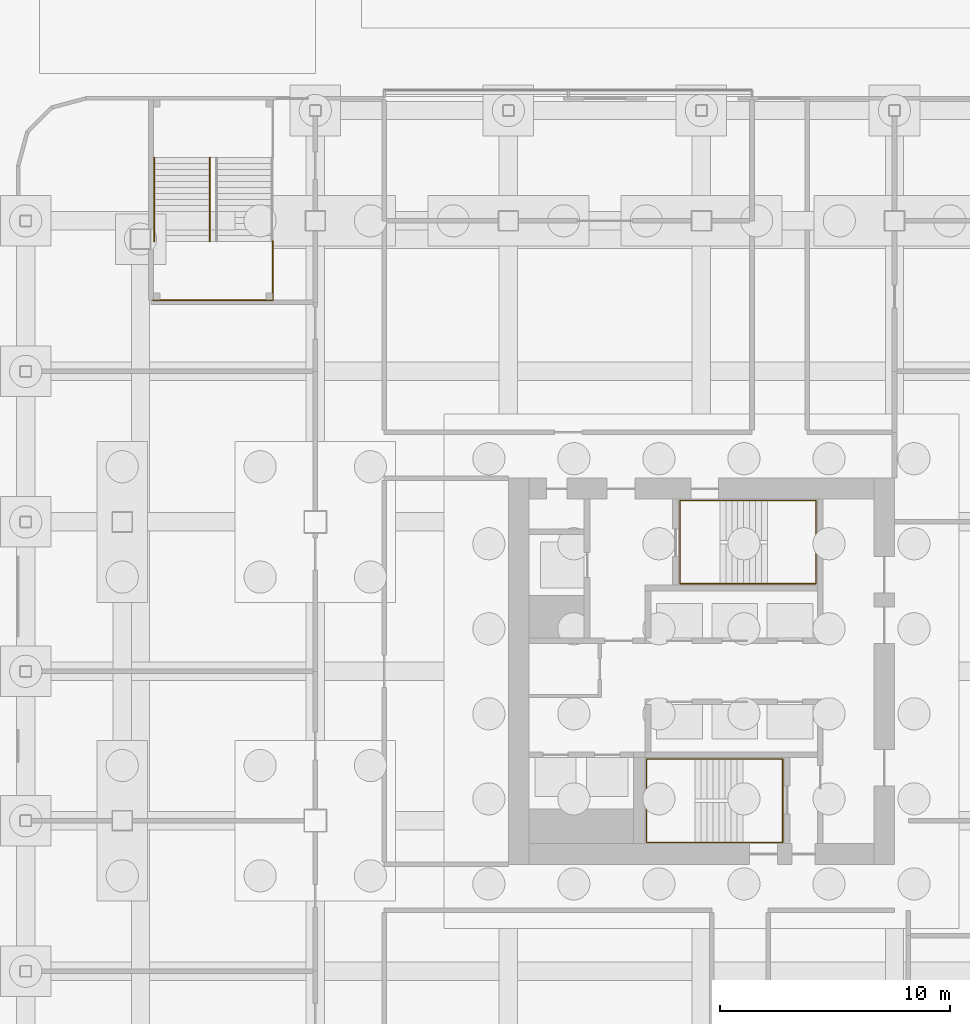
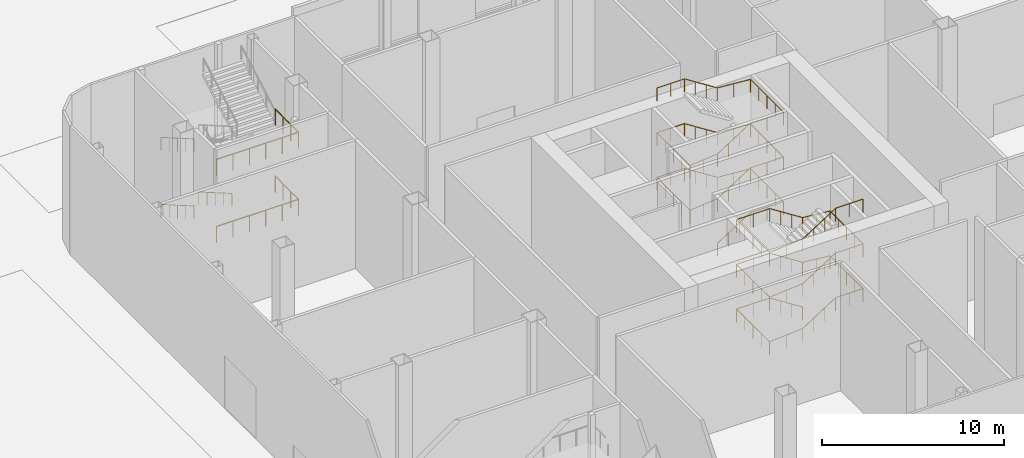
# One storey, part 109 of 113: 9 railings.
"""IFC4 building model written with IfcOpenShell, lengths in metres."""

import ifcopenshell
import ifcopenshell.guid

model = None  # the IFC model being written
_history = None  # IfcOwnerHistory: only IFC2X3 demands one
_inside = {}  # id of a spatial element -> (the spatial element, [elements in it])
_under = {}  # id of a project, library or spatial element -> (it, [spatial elements below it])
_declared = {}  # id of a project -> (the project, [libraries it declares])
_typed = {}  # id of a type object -> (the type object, [elements of that type])
_made_of = {}  # id of a material, layer set ... -> (it, [elements and type objects made of it])


def new_model(schema):
    """Start an empty IFC model of exactly this schema.

    Asked for "IFC4X3", IfcOpenShell would pick the latest addendum, in which some entities
    have other attributes; the version numbers below select the first issue.
    IFC2X3 requires an IfcOwnerHistory on every rooted entity: one is made here for all.
    """
    global model, _history
    if schema == "IFC4X3":
        model = ifcopenshell.file(schema_version=(4, 3, 0, 0))
    else:
        model = ifcopenshell.file(schema=schema)
    _inside.clear()
    _under.clear()
    _declared.clear()
    _typed.clear()
    _made_of.clear()
    _history = None
    if model.schema == "IFC2X3":
        org = make("IfcOrganization", Name="unknown")
        user = make(
            "IfcPersonAndOrganization",
            ThePerson=make("IfcPerson", FamilyName="unknown"),
            TheOrganization=org,
        )
        app = make(
            "IfcApplication",
            ApplicationDeveloper=org,
            Version="unknown",
            ApplicationFullName="unknown",
            ApplicationIdentifier="unknown",
        )
        _history = make(
            "IfcOwnerHistory",
            OwningUser=user,
            OwningApplication=app,
            ChangeAction="ADDED",
            CreationDate=0,
        )
    return model


def make(cls, **values):
    """One entity of the class cls with the attributes given. An attribute that is None is left unset."""
    return model.create_entity(
        cls, **{name: value for name, value in values.items() if value is not None}
    )


def rooted(cls, **values):
    """An entity with a GlobalId (a new one), such as an element, a storey or a relation."""
    return make(cls, GlobalId=ifcopenshell.guid.new(), OwnerHistory=_history, **values)


def si_unit(unit_type, name, prefix=None):
    """IfcSIUnit, for example si_unit("LENGTHUNIT", "METRE", prefix="MILLI")."""
    return make("IfcSIUnit", UnitType=unit_type, Prefix=prefix, Name=name)


def assignment(units):
    """IfcUnitAssignment: the units of a project."""
    return None if units is None else make("IfcUnitAssignment", Units=units)


def point(xyz):
    """IfcCartesianPoint."""
    return None if xyz is None else make("IfcCartesianPoint", Coordinates=xyz)


def direction(xyz):
    """IfcDirection."""
    return None if xyz is None else make("IfcDirection", DirectionRatios=xyz)


def frame(location, z_axis=None, x_axis=None):
    """IfcAxis2Placement3D, a coordinate frame: its origin and axes. An axis left out is left unset."""
    return make(
        "IfcAxis2Placement3D",
        Location=point(location),
        Axis=direction(z_axis),
        RefDirection=direction(x_axis),
    )


def frame_2d(location, x_axis=None):
    """IfcAxis2Placement2D, a coordinate frame in the plane: its origin and x axis."""
    return make(
        "IfcAxis2Placement2D", Location=point(location), RefDirection=direction(x_axis)
    )


def origin():
    """The frame at (0, 0, 0) with its axes left unset."""
    return frame((0.0, 0.0, 0.0))


def origin_2d():
    """The frame at (0, 0) in the plane with its x axis left unset."""
    return frame_2d((0.0, 0.0))


def place(relative_to, where):
    """IfcLocalPlacement: puts the frame where relative to a parent placement (None: the world)."""
    return make(
        "IfcLocalPlacement", PlacementRelTo=relative_to, RelativePlacement=where
    )


def context(
    kind, dimensions, precision=None, world=None, true_north=None, identifier=None
):
    """IfcGeometricRepresentationContext, for example the 3D "Model" context."""
    return make(
        "IfcGeometricRepresentationContext",
        ContextIdentifier=identifier,
        ContextType=kind,
        CoordinateSpaceDimension=dimensions,
        Precision=precision,
        WorldCoordinateSystem=world,
        TrueNorth=true_north,
    )


def subcontext(parent, identifier, kind, view, scale=None):
    """IfcGeometricRepresentationSubContext, for example "Body" below "Model"."""
    return make(
        "IfcGeometricRepresentationSubContext",
        ContextIdentifier=identifier,
        ContextType=kind,
        ParentContext=parent,
        TargetScale=scale,
        TargetView=view,
    )


def project(units=None, contexts=None):
    """IfcProject with its units and contexts."""
    return rooted(
        "IfcProject",
        Name="project",
        RepresentationContexts=contexts,
        UnitsInContext=assignment(units),
    )


def spatial(cls, under=None, at=None, **own):
    """A site, building, storey or space (cls), placed at a placement, below another one or the project."""
    s = rooted(cls, ObjectPlacement=at, **own)
    if under is not None:
        _under.setdefault(under.id(), (under, []))[1].append(s)
    return s


def profile(cls, at=None, kind="AREA", **sizes):
    """A parametric profile (cls). Its sizes go by their IFC names, for example OverallWidth=200.0."""
    return make(cls, ProfileType=kind, Position=at, **sizes)


def circle(**sizes):
    """IfcCircleProfileDef."""
    return profile("IfcCircleProfileDef", **sizes)


def extrude(swept, where, along, depth):
    """IfcExtrudedAreaSolid: the profile swept, set in the frame where, extruded along a direction by depth."""
    return make(
        "IfcExtrudedAreaSolid",
        SweptArea=swept,
        Position=where,
        ExtrudedDirection=direction(along),
        Depth=depth,
    )


def shape(context_of_items, identifier, shape_type, items):
    """IfcShapeRepresentation: the items that make up one representation, for example the "Body"."""
    return make(
        "IfcShapeRepresentation",
        ContextOfItems=context_of_items,
        RepresentationIdentifier=identifier,
        RepresentationType=shape_type,
        Items=items,
    )


def material(Name=None, Category=None):
    """IfcMaterial."""
    return make("IfcMaterial", Name=Name, Category=Category)


def made_of(thing, what):
    """Note that an element or type object is made of a material, layer set ...; save() writes the relation."""
    if what is not None:
        _made_of.setdefault(what.id(), (what, []))[1].append(thing)
    return thing


def type_object(cls, material=None, **own):
    """A type object (cls), such as IfcWallType, which elements share."""
    return made_of(rooted(cls, **own), material)


def element(
    cls,
    number,
    at=None,
    inside=None,
    cuts=None,
    type_object=None,
    material=None,
    context=None,
    identifier="Body",
    shape_type=None,
    held_by="IfcProductDefinitionShape",
    body=None,
    shapes=None,
    **own,
):
    """One element of the class cls, such as IfcWall. Its Tag is "e" and its number.

    at: its placement. inside: the storey or other place that contains it. cuts: it is an
    opening in that element (IfcRelVoidsElement). A single representation is given by context,
    identifier, shape_type and body (its items); several are given by shapes. held_by: the class
    of the entity that holds the representations. save() writes the other relations.
    """
    e = rooted(cls, Tag="e%d" % number, ObjectPlacement=at, **own)
    if body is not None:
        shapes = [shape(context, identifier, shape_type, body)]
    if shapes is not None:
        e.Representation = make(held_by, Representations=shapes)
    if inside is not None:
        _inside.setdefault(inside.id(), (inside, []))[1].append(e)
    if cuts is not None:
        rooted(
            "IfcRelVoidsElement", RelatingBuildingElement=cuts, RelatedOpeningElement=e
        )
    if type_object is not None:
        _typed.setdefault(type_object.id(), (type_object, []))[1].append(e)
    return made_of(e, material)


def aggregate(whole, parts):
    """IfcRelAggregates: a whole, such as a stair, and the parts it consists of."""
    return rooted("IfcRelAggregates", RelatingObject=whole, RelatedObjects=parts)


def save(model, path):
    """Write the relations noted so far, then the file.

    IfcRelAggregates (storeys below a building ...), IfcRelContainedInSpatialStructure (elements
    in a storey), IfcRelDefinesByType, IfcRelAssociatesMaterial and IfcRelDeclares: one each for
    every whole, place, type object, material and project.
    """
    for whole, parts in _under.values():
        aggregate(whole, parts)
    for where, things in _inside.values():
        rooted(
            "IfcRelContainedInSpatialStructure",
            RelatedElements=things,
            RelatingStructure=where,
        )
    for kind, things in _typed.values():
        rooted("IfcRelDefinesByType", RelatedObjects=things, RelatingType=kind)
    for what, things in _made_of.values():
        rooted("IfcRelAssociatesMaterial", RelatedObjects=things, RelatingMaterial=what)
    for by, libraries in _declared.values():
        rooted("IfcRelDeclares", RelatingContext=by, RelatedDefinitions=libraries)
    model.write(path)


model = new_model("IFC4")

# Units and contexts
model_context = context("Model", 3, precision=1e-05, world=origin(), true_north=direction((0.0, 1.0)))
body_context = subcontext(model_context, "Body", "Model", "MODEL_VIEW")
ifc_project = project(units=[si_unit("LENGTHUNIT", "METRE"), si_unit("AREAUNIT", "SQUARE_METRE"), si_unit("VOLUMEUNIT", "CUBIC_METRE"), si_unit("PLANEANGLEUNIT", "RADIAN"), si_unit("MASSUNIT", "GRAM", prefix="KILO")], contexts=[model_context])

# Site, building, storey
site_placement = place(None, origin())
site = spatial("IfcSite", under=ifc_project, at=site_placement, CompositionType="ELEMENT")
building_placement = place(site_placement, origin())
building = spatial("IfcBuilding", under=site, at=building_placement, Name="Hakoniwa Tower and Hamabe Station Hall", CompositionType="ELEMENT")
storey_placement = place(building_placement, origin())
storey = spatial("IfcBuildingStorey", under=building, at=storey_placement, Name="L01", CompositionType="ELEMENT", Elevation=0.0)

# Railings
ifc_material_1 = material(Name="Stainless steel and glass", Category="steel")
railing_type_1 = type_object("IfcRailingType", Name="GUARD 1100", PredefinedType="GUARDRAIL", material=ifc_material_1)
railing_1_placement = place(storey_placement, frame((-43.85009765625, 18.7099609375, 2.25)))
element("IfcRailing", 1, at=railing_1_placement, inside=storey, type_object=railing_type_1, Name="Guard at landing PS1 1", PredefinedType="GUARDRAIL", context=body_context, shape_type="SweptSolid", body=[
    extrude(circle(Radius=0.02392578125, at=origin_2d()), frame((0.0, 0.0, 1.076171875), z_axis=(0.0, -1.0, 0.0), x_axis=(1.0, 0.0, 0.0)), (0.0, 0.0, 1.0), 2.56005859375),
    extrude(circle(Radius=0.02099609375, at=origin_2d()), origin(), (0.0, 0.0, 1.0), 1.052001953125),
    extrude(circle(Radius=0.02099609375, at=origin_2d()), frame((0.0, -0.853271484375, 0.0)), (0.0, 0.0, 1.0), 1.052001953125),
    extrude(circle(Radius=0.02099609375, at=origin_2d()), frame((0.0, -1.706787109375, 0.0)), (0.0, 0.0, 1.0), 1.052001953125),
    extrude(circle(Radius=0.02099609375, at=origin_2d()), frame((0.0, -2.56005859375, 0.0)), (0.0, 0.0, 1.0), 1.052001953125),
])
railing_2_placement = place(storey_placement, frame((-49.050048828125, 16.14990234375, 2.25)))
element("IfcRailing", 2, at=railing_2_placement, inside=storey, type_object=railing_type_1, Name="Guard at landing PS1 2", PredefinedType="GUARDRAIL", context=body_context, shape_type="SweptSolid", body=[
    extrude(circle(Radius=0.02392578125, at=origin_2d()), frame((0.0, 0.0, 1.076171875), z_axis=(1.0, 0.0, 0.0), x_axis=(0.0, 1.0, 0.0)), (0.0, 0.0, 1.0), 5.199951171875),
    extrude(circle(Radius=0.02099609375, at=origin_2d()), origin(), (0.0, 0.0, 1.0), 1.052001953125),
    extrude(circle(Radius=0.02099609375, at=origin_2d()), frame((1.0400390625, 0.0, 0.0)), (0.0, 0.0, 1.0), 1.052001953125),
    extrude(circle(Radius=0.02099609375, at=origin_2d()), frame((2.080078125, 0.0, 0.0)), (0.0, 0.0, 1.0), 1.052001953125),
    extrude(circle(Radius=0.02099609375, at=origin_2d()), frame((3.119873046875, 0.0, 0.0)), (0.0, 0.0, 1.0), 1.052001953125),
    extrude(circle(Radius=0.02099609375, at=origin_2d()), frame((4.159912109375, 0.0, 0.0)), (0.0, 0.0, 1.0), 1.052001953125),
    extrude(circle(Radius=0.02099609375, at=origin_2d()), frame((5.199951171875, 0.0, 0.0)), (0.0, 0.0, 1.0), 1.052001953125),
])
railing_3_placement = place(storey_placement, frame((-43.85009765625, 18.7099609375, 6.75)))
element("IfcRailing", 3, at=railing_3_placement, inside=storey, type_object=railing_type_1, Name="Guard at landing PS1 4", PredefinedType="GUARDRAIL", context=body_context, shape_type="SweptSolid", body=[
    extrude(circle(Radius=0.02392578125, at=origin_2d()), frame((0.0, 0.0, 1.076171875), z_axis=(0.0, -1.0, 0.0), x_axis=(1.0, 0.0, 0.0)), (0.0, 0.0, 1.0), 2.56005859375),
    extrude(circle(Radius=0.02099609375, at=origin_2d()), origin(), (0.0, 0.0, 1.0), 1.052001953125),
    extrude(circle(Radius=0.02099609375, at=origin_2d()), frame((0.0, -0.853271484375, 0.0)), (0.0, 0.0, 1.0), 1.052001953125),
    extrude(circle(Radius=0.02099609375, at=origin_2d()), frame((0.0, -1.706787109375, 0.0)), (0.0, 0.0, 1.0), 1.052001953125),
    extrude(circle(Radius=0.02099609375, at=origin_2d()), frame((0.0, -2.56005859375, 0.0)), (0.0, 0.0, 1.0), 1.052001953125),
])
railing_4_placement = place(storey_placement, frame((-49.050048828125, 16.14990234375, 6.75)))
element("IfcRailing", 4, at=railing_4_placement, inside=storey, type_object=railing_type_1, Name="Guard at landing PS1 5", PredefinedType="GUARDRAIL", context=body_context, shape_type="SweptSolid", body=[
    extrude(circle(Radius=0.02392578125, at=origin_2d()), frame((0.0, 0.0, 1.076171875), z_axis=(1.0, 0.0, 0.0), x_axis=(0.0, 1.0, 0.0)), (0.0, 0.0, 1.0), 5.199951171875),
    extrude(circle(Radius=0.02099609375, at=origin_2d()), origin(), (0.0, 0.0, 1.0), 1.052001953125),
    extrude(circle(Radius=0.02099609375, at=origin_2d()), frame((1.0400390625, 0.0, 0.0)), (0.0, 0.0, 1.0), 1.052001953125),
    extrude(circle(Radius=0.02099609375, at=origin_2d()), frame((2.080078125, 0.0, 0.0)), (0.0, 0.0, 1.0), 1.052001953125),
    extrude(circle(Radius=0.02099609375, at=origin_2d()), frame((3.119873046875, 0.0, 0.0)), (0.0, 0.0, 1.0), 1.052001953125),
    extrude(circle(Radius=0.02099609375, at=origin_2d()), frame((4.159912109375, 0.0, 0.0)), (0.0, 0.0, 1.0), 1.052001953125),
    extrude(circle(Radius=0.02099609375, at=origin_2d()), frame((5.199951171875, 0.0, 0.0)), (0.0, 0.0, 1.0), 1.052001953125),
])
ifc_material_2 = material(Name="Stainless steel SUS304", Category="steel")
railing_type_2 = type_object("IfcRailingType", Name="HANDRAIL 900", PredefinedType="HANDRAIL", material=ifc_material_2)
for number, where, name in (
    (5, (-49.0, 22.35009765625, 0.14990234375), "Handrail PS1 1"),
    (6, (-46.60009765625, 22.35009765625, 0.14990234375), "Handrail PS1 2"),
    (7, (-49.0, 22.35009765625, 4.64990234375), "Handrail PS1 5"),
):
    element("IfcRailing", number, at=place(storey_placement, frame(where)), inside=storey, type_object=railing_type_2, Name=name, PredefinedType="HANDRAIL", context=body_context, shape_type="SweptSolid", body=[
        extrude(circle(Radius=0.02392578125, at=origin_2d()), frame((0.0, 0.0, 0.8759765625), z_axis=(0.0, -0.86618365172, 0.499725806311), x_axis=(1.0, 0.0, 0.0)), (0.0, 0.0, 1.0), 4.202392578125),
        extrude(circle(Radius=0.02099609375, at=origin_2d()), origin(), (0.0, 0.0, 1.0), 0.851806640625),
        extrude(circle(Radius=0.02099609375, at=origin_2d()), frame((0.0, -0.91015625, 0.52490234375)), (0.0, 0.0, 1.0), 0.851806640625),
        extrude(circle(Radius=0.02099609375, at=origin_2d()), frame((0.0, -1.820068359375, 1.050048828125)), (0.0, 0.0, 1.0), 0.851806640625),
        extrude(circle(Radius=0.02099609375, at=origin_2d()), frame((0.0, -2.72998046875, 1.5751953125)), (0.0, 0.0, 1.0), 0.851806640625),
        extrude(circle(Radius=0.02099609375, at=origin_2d()), frame((0.0, -3.64013671875, 2.10009765625)), (0.0, 0.0, 1.0), 0.851806640625),
    ])
ifc_material_3 = material(Name="Stainless steel SUS304", Category="steel")
railing_type_3 = type_object("IfcRailingType", Name="STAIR HANDRAIL 900", PredefinedType="HANDRAIL", material=ifc_material_3)
railing_5_placement = place(storey_placement, frame((-24.39990234375, 3.81005859375, 0.166748046875)))
element("IfcRailing", 8, at=railing_5_placement, inside=storey, type_object=railing_type_3, Name="Handrail ST-1 L01 1", PredefinedType="HANDRAIL", context=body_context, shape_type="SweptSolid", body=[
    extrude(circle(Radius=0.02392578125, at=origin_2d()), frame((0.0, 0.0, 0.8759765625), z_axis=(0.84187453394, 0.0, 0.539673298491), x_axis=(0.0, 1.0, 0.0)), (0.0, 0.0, 1.0), 2.470458984375),
    extrude(circle(Radius=0.02392578125, at=origin_2d()), frame((2.079833984375, 0.0, 2.208984375), z_axis=(1.0, 0.0, 0.0), x_axis=(0.0, 1.0, 0.0)), (0.0, 0.0, 1.0), 2.110107421875),
    extrude(circle(Radius=0.02392578125, at=origin_2d()), frame((4.18994140625, 0.0, 2.208984375), z_axis=(0.0, 1.0, 0.0), x_axis=(-1.0, 0.0, 0.0)), (0.0, 0.0, 1.0), 3.6298828125),
    extrude(circle(Radius=0.02392578125, at=origin_2d()), frame((4.18994140625, 3.6298828125, 2.208984375), z_axis=(-0.996892192206, 0.0, 0.078777897406), x_axis=(0.0, -1.0, 0.0)), (0.0, 0.0, 1.0), 2.11669921875),
    extrude(circle(Radius=0.02392578125, at=origin_2d()), frame((2.079833984375, 3.6298828125, 2.3759765625), z_axis=(-0.84187453394, 0.0, 0.539673298491), x_axis=(0.0, -1.0, 0.0)), (0.0, 0.0, 1.0), 2.470458984375),
    extrude(circle(Radius=0.02392578125, at=origin_2d()), frame((0.0, 3.6298828125, 3.708984375), z_axis=(-1.0, 0.0, 0.0), x_axis=(0.0, -1.0, 0.0)), (0.0, 0.0, 1.0), 1.739990234375),
    extrude(circle(Radius=0.02392578125, at=origin_2d()), frame((-1.739990234375, 3.6298828125, 3.708984375), z_axis=(0.0, -1.0, 0.0), x_axis=(1.0, 0.0, 0.0)), (0.0, 0.0, 1.0), 3.6298828125),
    extrude(circle(Radius=0.02392578125, at=origin_2d()), frame((-1.739990234375, 0.0, 3.708984375), z_axis=(0.995439431117, 0.0, 0.09539569685), x_axis=(0.0, 1.0, 0.0)), (0.0, 0.0, 1.0), 1.748046875),
    extrude(circle(Radius=0.02392578125, at=origin_2d()), frame((0.0, 0.0, 3.8759765625), z_axis=(0.84187453394, 0.0, 0.539673298491), x_axis=(0.0, 1.0, 0.0)), (0.0, 0.0, 1.0), 2.470458984375),
    extrude(circle(Radius=0.02392578125, at=origin_2d()), frame((2.079833984375, 0.0, 5.208984375), z_axis=(1.0, 0.0, 0.0), x_axis=(0.0, 1.0, 0.0)), (0.0, 0.0, 1.0), 2.110107421875),
    extrude(circle(Radius=0.02392578125, at=origin_2d()), frame((4.18994140625, 0.0, 5.208984375), z_axis=(0.0, 1.0, 0.0), x_axis=(-1.0, 0.0, 0.0)), (0.0, 0.0, 1.0), 3.6298828125),
    extrude(circle(Radius=0.02392578125, at=origin_2d()), frame((4.18994140625, 3.6298828125, 5.208984375), z_axis=(-0.996892192206, 0.0, 0.078777897406), x_axis=(0.0, -1.0, 0.0)), (0.0, 0.0, 1.0), 2.11669921875),
    extrude(circle(Radius=0.02392578125, at=origin_2d()), frame((2.079833984375, 3.6298828125, 5.3759765625), z_axis=(-0.84187453394, 0.0, 0.539673298491), x_axis=(0.0, -1.0, 0.0)), (0.0, 0.0, 1.0), 2.470458984375),
    extrude(circle(Radius=0.02392578125, at=origin_2d()), frame((0.0, 3.6298828125, 6.708984375), z_axis=(-1.0, 0.0, 0.0), x_axis=(0.0, -1.0, 0.0)), (0.0, 0.0, 1.0), 1.739990234375),
    extrude(circle(Radius=0.02392578125, at=origin_2d()), frame((-1.739990234375, 3.6298828125, 6.708984375), z_axis=(0.0, -1.0, 0.0), x_axis=(1.0, 0.0, 0.0)), (0.0, 0.0, 1.0), 3.6298828125),
    extrude(circle(Radius=0.02392578125, at=origin_2d()), frame((-1.739990234375, 0.0, 6.708984375), z_axis=(0.995439431117, 0.0, 0.09539569685), x_axis=(0.0, 1.0, 0.0)), (0.0, 0.0, 1.0), 1.748046875),
    extrude(circle(Radius=0.02392578125, at=origin_2d()), frame((0.0, 0.0, 6.8759765625), z_axis=(0.84187453394, 0.0, 0.539673298491), x_axis=(0.0, 1.0, 0.0)), (0.0, 0.0, 1.0), 2.470458984375),
    extrude(circle(Radius=0.02392578125, at=origin_2d()), frame((2.079833984375, 0.0, 8.208984375), z_axis=(1.0, 0.0, 0.0), x_axis=(0.0, 1.0, 0.0)), (0.0, 0.0, 1.0), 2.110107421875),
    extrude(circle(Radius=0.02392578125, at=origin_2d()), frame((4.18994140625, 0.0, 8.208984375), z_axis=(0.0, 1.0, 0.0), x_axis=(-1.0, 0.0, 0.0)), (0.0, 0.0, 1.0), 3.6298828125),
    extrude(circle(Radius=0.02392578125, at=origin_2d()), frame((4.18994140625, 3.6298828125, 8.208984375), z_axis=(-0.996892192206, 0.0, 0.078777897406), x_axis=(0.0, -1.0, 0.0)), (0.0, 0.0, 1.0), 2.11669921875),
    extrude(circle(Radius=0.02392578125, at=origin_2d()), frame((2.079833984375, 3.6298828125, 8.3759765625), z_axis=(-0.84187453394, 0.0, 0.539673298491), x_axis=(0.0, -1.0, 0.0)), (0.0, 0.0, 1.0), 2.470458984375),
    extrude(circle(Radius=0.02392578125, at=origin_2d()), frame((0.0, 3.6298828125, 9.708984375), z_axis=(-1.0, 0.0, 0.0), x_axis=(0.0, -1.0, 0.0)), (0.0, 0.0, 1.0), 1.739990234375),
    extrude(circle(Radius=0.02099609375, at=origin_2d()), origin(), (0.0, 0.0, 1.0), 0.851806640625),
    extrude(circle(Radius=0.02099609375, at=origin_2d()), frame((0.693359375, 0.0, 0.4443359375)), (0.0, 0.0, 1.0), 0.851806640625),
    extrude(circle(Radius=0.02099609375, at=origin_2d()), frame((1.386474609375, 0.0, 0.888916015625)), (0.0, 0.0, 1.0), 0.851806640625),
    extrude(circle(Radius=0.02099609375, at=origin_2d()), frame((2.079833984375, 0.0, 1.333251953125)), (0.0, 0.0, 1.0), 0.851806640625),
    extrude(circle(Radius=0.02099609375, at=origin_2d()), frame((3.134765625, 0.0, 1.333251953125)), (0.0, 0.0, 1.0), 0.851806640625),
    extrude(circle(Radius=0.02099609375, at=origin_2d()), frame((4.18994140625, 0.0, 1.333251953125)), (0.0, 0.0, 1.0), 0.851806640625),
    extrude(circle(Radius=0.02099609375, at=origin_2d()), frame((4.18994140625, 0.907470703125, 1.333251953125)), (0.0, 0.0, 1.0), 0.851806640625),
    extrude(circle(Radius=0.02099609375, at=origin_2d()), frame((4.18994140625, 1.81494140625, 1.333251953125)), (0.0, 0.0, 1.0), 0.851806640625),
    extrude(circle(Radius=0.02099609375, at=origin_2d()), frame((4.18994140625, 2.722412109375, 1.333251953125)), (0.0, 0.0, 1.0), 0.851806640625),
    extrude(circle(Radius=0.02099609375, at=origin_2d()), frame((4.18994140625, 3.6298828125, 1.333251953125)), (0.0, 0.0, 1.0), 0.851806640625),
    extrude(circle(Radius=0.02099609375, at=origin_2d()), frame((3.134765625, 3.6298828125, 1.41650390625)), (0.0, 0.0, 1.0), 0.851806640625),
    extrude(circle(Radius=0.02099609375, at=origin_2d()), frame((2.079833984375, 3.6298828125, 1.5)), (0.0, 0.0, 1.0), 0.851806640625),
    extrude(circle(Radius=0.02099609375, at=origin_2d()), frame((1.386474609375, 3.6298828125, 1.9443359375)), (0.0, 0.0, 1.0), 0.851806640625),
    extrude(circle(Radius=0.02099609375, at=origin_2d()), frame((0.693359375, 3.6298828125, 2.388916015625)), (0.0, 0.0, 1.0), 0.851806640625),
    extrude(circle(Radius=0.02099609375, at=origin_2d()), frame((0.0, 3.6298828125, 2.833251953125)), (0.0, 0.0, 1.0), 0.851806640625),
    extrude(circle(Radius=0.02099609375, at=origin_2d()), frame((-0.8701171875, 3.6298828125, 2.833251953125)), (0.0, 0.0, 1.0), 0.851806640625),
    extrude(circle(Radius=0.02099609375, at=origin_2d()), frame((-1.739990234375, 3.6298828125, 2.833251953125)), (0.0, 0.0, 1.0), 0.851806640625),
    extrude(circle(Radius=0.02099609375, at=origin_2d()), frame((-1.739990234375, 2.722412109375, 2.833251953125)), (0.0, 0.0, 1.0), 0.851806640625),
    extrude(circle(Radius=0.02099609375, at=origin_2d()), frame((-1.739990234375, 1.81494140625, 2.833251953125)), (0.0, 0.0, 1.0), 0.851806640625),
    extrude(circle(Radius=0.02099609375, at=origin_2d()), frame((-1.739990234375, 0.907470703125, 2.833251953125)), (0.0, 0.0, 1.0), 0.851806640625),
    extrude(circle(Radius=0.02099609375, at=origin_2d()), frame((-1.739990234375, 0.0, 2.833251953125)), (0.0, 0.0, 1.0), 0.851806640625),
    extrude(circle(Radius=0.02099609375, at=origin_2d()), frame((-0.8701171875, 0.0, 2.91650390625)), (0.0, 0.0, 1.0), 0.851806640625),
    extrude(circle(Radius=0.02099609375, at=origin_2d()), frame((0.0, 0.0, 3.0)), (0.0, 0.0, 1.0), 0.851806640625),
    extrude(circle(Radius=0.02099609375, at=origin_2d()), frame((0.693359375, 0.0, 3.4443359375)), (0.0, 0.0, 1.0), 0.851806640625),
    extrude(circle(Radius=0.02099609375, at=origin_2d()), frame((1.386474609375, 0.0, 3.888916015625)), (0.0, 0.0, 1.0), 0.851806640625),
    extrude(circle(Radius=0.02099609375, at=origin_2d()), frame((2.079833984375, 0.0, 4.333251953125)), (0.0, 0.0, 1.0), 0.851806640625),
    extrude(circle(Radius=0.02099609375, at=origin_2d()), frame((3.134765625, 0.0, 4.333251953125)), (0.0, 0.0, 1.0), 0.851806640625),
    extrude(circle(Radius=0.02099609375, at=origin_2d()), frame((4.18994140625, 0.0, 4.333251953125)), (0.0, 0.0, 1.0), 0.851806640625),
    extrude(circle(Radius=0.02099609375, at=origin_2d()), frame((4.18994140625, 0.907470703125, 4.333251953125)), (0.0, 0.0, 1.0), 0.851806640625),
    extrude(circle(Radius=0.02099609375, at=origin_2d()), frame((4.18994140625, 1.81494140625, 4.333251953125)), (0.0, 0.0, 1.0), 0.851806640625),
    extrude(circle(Radius=0.02099609375, at=origin_2d()), frame((4.18994140625, 2.722412109375, 4.333251953125)), (0.0, 0.0, 1.0), 0.851806640625),
    extrude(circle(Radius=0.02099609375, at=origin_2d()), frame((4.18994140625, 3.6298828125, 4.333251953125)), (0.0, 0.0, 1.0), 0.851806640625),
    extrude(circle(Radius=0.02099609375, at=origin_2d()), frame((3.134765625, 3.6298828125, 4.41650390625)), (0.0, 0.0, 1.0), 0.851806640625),
    extrude(circle(Radius=0.02099609375, at=origin_2d()), frame((2.079833984375, 3.6298828125, 4.5)), (0.0, 0.0, 1.0), 0.851806640625),
    extrude(circle(Radius=0.02099609375, at=origin_2d()), frame((1.386474609375, 3.6298828125, 4.9443359375)), (0.0, 0.0, 1.0), 0.851806640625),
    extrude(circle(Radius=0.02099609375, at=origin_2d()), frame((0.693359375, 3.6298828125, 5.388916015625)), (0.0, 0.0, 1.0), 0.851806640625),
    extrude(circle(Radius=0.02099609375, at=origin_2d()), frame((0.0, 3.6298828125, 5.833251953125)), (0.0, 0.0, 1.0), 0.851806640625),
    extrude(circle(Radius=0.02099609375, at=origin_2d()), frame((-0.8701171875, 3.6298828125, 5.833251953125)), (0.0, 0.0, 1.0), 0.851806640625),
    extrude(circle(Radius=0.02099609375, at=origin_2d()), frame((-1.739990234375, 3.6298828125, 5.833251953125)), (0.0, 0.0, 1.0), 0.851806640625),
    extrude(circle(Radius=0.02099609375, at=origin_2d()), frame((-1.739990234375, 2.722412109375, 5.833251953125)), (0.0, 0.0, 1.0), 0.851806640625),
    extrude(circle(Radius=0.02099609375, at=origin_2d()), frame((-1.739990234375, 1.81494140625, 5.833251953125)), (0.0, 0.0, 1.0), 0.851806640625),
    extrude(circle(Radius=0.02099609375, at=origin_2d()), frame((-1.739990234375, 0.907470703125, 5.833251953125)), (0.0, 0.0, 1.0), 0.851806640625),
    extrude(circle(Radius=0.02099609375, at=origin_2d()), frame((-1.739990234375, 0.0, 5.833251953125)), (0.0, 0.0, 1.0), 0.851806640625),
    extrude(circle(Radius=0.02099609375, at=origin_2d()), frame((-0.8701171875, 0.0, 5.91650390625)), (0.0, 0.0, 1.0), 0.851806640625),
    extrude(circle(Radius=0.02099609375, at=origin_2d()), frame((0.0, 0.0, 6.0)), (0.0, 0.0, 1.0), 0.851806640625),
    extrude(circle(Radius=0.02099609375, at=origin_2d()), frame((0.693359375, 0.0, 6.4443359375)), (0.0, 0.0, 1.0), 0.851806640625),
    extrude(circle(Radius=0.02099609375, at=origin_2d()), frame((1.386474609375, 0.0, 6.888916015625)), (0.0, 0.0, 1.0), 0.851806640625),
    extrude(circle(Radius=0.02099609375, at=origin_2d()), frame((2.079833984375, 0.0, 7.333251953125)), (0.0, 0.0, 1.0), 0.851806640625),
    extrude(circle(Radius=0.02099609375, at=origin_2d()), frame((3.134765625, 0.0, 7.333251953125)), (0.0, 0.0, 1.0), 0.851806640625),
    extrude(circle(Radius=0.02099609375, at=origin_2d()), frame((4.18994140625, 0.0, 7.333251953125)), (0.0, 0.0, 1.0), 0.851806640625),
    extrude(circle(Radius=0.02099609375, at=origin_2d()), frame((4.18994140625, 0.907470703125, 7.333251953125)), (0.0, 0.0, 1.0), 0.851806640625),
    extrude(circle(Radius=0.02099609375, at=origin_2d()), frame((4.18994140625, 1.81494140625, 7.333251953125)), (0.0, 0.0, 1.0), 0.851806640625),
    extrude(circle(Radius=0.02099609375, at=origin_2d()), frame((4.18994140625, 2.722412109375, 7.333251953125)), (0.0, 0.0, 1.0), 0.851806640625),
    extrude(circle(Radius=0.02099609375, at=origin_2d()), frame((4.18994140625, 3.6298828125, 7.333251953125)), (0.0, 0.0, 1.0), 0.851806640625),
    extrude(circle(Radius=0.02099609375, at=origin_2d()), frame((3.134765625, 3.6298828125, 7.41650390625)), (0.0, 0.0, 1.0), 0.851806640625),
    extrude(circle(Radius=0.02099609375, at=origin_2d()), frame((2.079833984375, 3.6298828125, 7.5)), (0.0, 0.0, 1.0), 0.851806640625),
    extrude(circle(Radius=0.02099609375, at=origin_2d()), frame((1.386474609375, 3.6298828125, 7.9443359375)), (0.0, 0.0, 1.0), 0.851806640625),
    extrude(circle(Radius=0.02099609375, at=origin_2d()), frame((0.693359375, 3.6298828125, 8.388916015625)), (0.0, 0.0, 1.0), 0.851806640625),
    extrude(circle(Radius=0.02099609375, at=origin_2d()), frame((0.0, 3.6298828125, 8.833251953125)), (0.0, 0.0, 1.0), 0.851806640625),
    extrude(circle(Radius=0.02099609375, at=origin_2d()), frame((-0.8701171875, 3.6298828125, 8.833251953125)), (0.0, 0.0, 1.0), 0.851806640625),
    extrude(circle(Radius=0.02099609375, at=origin_2d()), frame((-1.739990234375, 3.6298828125, 8.833251953125)), (0.0, 0.0, 1.0), 0.851806640625),
])
railing_6_placement = place(storey_placement, frame((-23.39990234375, -3.81005859375, 0.166748046875)))
element("IfcRailing", 9, at=railing_6_placement, inside=storey, type_object=railing_type_3, Name="Handrail ST-2 L01 1", PredefinedType="HANDRAIL", context=body_context, shape_type="SweptSolid", body=[
    extrude(circle(Radius=0.02392578125, at=origin_2d()), frame((0.0, 0.0, 0.8759765625), z_axis=(-0.841903312325, 0.0, 0.539628402418), x_axis=(0.0, -1.0, 0.0)), (0.0, 0.0, 1.0), 2.470703125),
    extrude(circle(Radius=0.02392578125, at=origin_2d()), frame((-2.080078125, 0.0, 2.208984375), z_axis=(-1.0, 0.0, 0.0), x_axis=(0.0, -1.0, 0.0)), (0.0, 0.0, 1.0), 2.110107421875),
    extrude(circle(Radius=0.02392578125, at=origin_2d()), frame((-4.190185546875, 0.0, 2.208984375), z_axis=(0.0, -1.0, 0.0), x_axis=(1.0, 0.0, 0.0)), (0.0, 0.0, 1.0), 3.6298828125),
    extrude(circle(Radius=0.02392578125, at=origin_2d()), frame((-4.190185546875, -3.6298828125, 2.208984375), z_axis=(0.996892192206, 0.0, 0.078777897406), x_axis=(0.0, 1.0, 0.0)), (0.0, 0.0, 1.0), 2.11669921875),
    extrude(circle(Radius=0.02392578125, at=origin_2d()), frame((-2.080078125, -3.6298828125, 2.3759765625), z_axis=(0.841903312325, 0.0, 0.539628402418), x_axis=(0.0, 1.0, 0.0)), (0.0, 0.0, 1.0), 2.470703125),
    extrude(circle(Radius=0.02392578125, at=origin_2d()), frame((0.0, -3.6298828125, 3.708984375), z_axis=(1.0, 0.0, 0.0), x_axis=(0.0, 1.0, 0.0)), (0.0, 0.0, 1.0), 1.739990234375),
    extrude(circle(Radius=0.02392578125, at=origin_2d()), frame((1.739990234375, -3.6298828125, 3.708984375), z_axis=(0.0, 1.0, 0.0), x_axis=(-1.0, 0.0, 0.0)), (0.0, 0.0, 1.0), 3.6298828125),
    extrude(circle(Radius=0.02392578125, at=origin_2d()), frame((1.739990234375, 0.0, 3.708984375), z_axis=(-0.995439431117, 0.0, 0.09539569685), x_axis=(0.0, -1.0, 0.0)), (0.0, 0.0, 1.0), 1.748046875),
    extrude(circle(Radius=0.02392578125, at=origin_2d()), frame((0.0, 0.0, 3.8759765625), z_axis=(-0.841903312325, 0.0, 0.539628402418), x_axis=(0.0, -1.0, 0.0)), (0.0, 0.0, 1.0), 2.470703125),
    extrude(circle(Radius=0.02392578125, at=origin_2d()), frame((-2.080078125, 0.0, 5.208984375), z_axis=(-1.0, 0.0, 0.0), x_axis=(0.0, -1.0, 0.0)), (0.0, 0.0, 1.0), 2.110107421875),
    extrude(circle(Radius=0.02392578125, at=origin_2d()), frame((-4.190185546875, 0.0, 5.208984375), z_axis=(0.0, -1.0, 0.0), x_axis=(1.0, 0.0, 0.0)), (0.0, 0.0, 1.0), 3.6298828125),
    extrude(circle(Radius=0.02392578125, at=origin_2d()), frame((-4.190185546875, -3.6298828125, 5.208984375), z_axis=(0.996892192206, 0.0, 0.078777897406), x_axis=(0.0, 1.0, 0.0)), (0.0, 0.0, 1.0), 2.11669921875),
    extrude(circle(Radius=0.02392578125, at=origin_2d()), frame((-2.080078125, -3.6298828125, 5.3759765625), z_axis=(0.841903312325, 0.0, 0.539628402418), x_axis=(0.0, 1.0, 0.0)), (0.0, 0.0, 1.0), 2.470703125),
    extrude(circle(Radius=0.02392578125, at=origin_2d()), frame((0.0, -3.6298828125, 6.708984375), z_axis=(1.0, 0.0, 0.0), x_axis=(0.0, 1.0, 0.0)), (0.0, 0.0, 1.0), 1.739990234375),
    extrude(circle(Radius=0.02392578125, at=origin_2d()), frame((1.739990234375, -3.6298828125, 6.708984375), z_axis=(0.0, 1.0, 0.0), x_axis=(-1.0, 0.0, 0.0)), (0.0, 0.0, 1.0), 3.6298828125),
    extrude(circle(Radius=0.02392578125, at=origin_2d()), frame((1.739990234375, 0.0, 6.708984375), z_axis=(-0.995439431117, 0.0, 0.09539569685), x_axis=(0.0, -1.0, 0.0)), (0.0, 0.0, 1.0), 1.748046875),
    extrude(circle(Radius=0.02392578125, at=origin_2d()), frame((0.0, 0.0, 6.8759765625), z_axis=(-0.841903312325, 0.0, 0.539628402418), x_axis=(0.0, -1.0, 0.0)), (0.0, 0.0, 1.0), 2.470703125),
    extrude(circle(Radius=0.02392578125, at=origin_2d()), frame((-2.080078125, 0.0, 8.208984375), z_axis=(-1.0, 0.0, 0.0), x_axis=(0.0, -1.0, 0.0)), (0.0, 0.0, 1.0), 2.110107421875),
    extrude(circle(Radius=0.02392578125, at=origin_2d()), frame((-4.190185546875, 0.0, 8.208984375), z_axis=(0.0, -1.0, 0.0), x_axis=(1.0, 0.0, 0.0)), (0.0, 0.0, 1.0), 3.6298828125),
    extrude(circle(Radius=0.02392578125, at=origin_2d()), frame((-4.190185546875, -3.6298828125, 8.208984375), z_axis=(0.996892192206, 0.0, 0.078777897406), x_axis=(0.0, 1.0, 0.0)), (0.0, 0.0, 1.0), 2.11669921875),
    extrude(circle(Radius=0.02392578125, at=origin_2d()), frame((-2.080078125, -3.6298828125, 8.3759765625), z_axis=(0.841903312325, 0.0, 0.539628402418), x_axis=(0.0, 1.0, 0.0)), (0.0, 0.0, 1.0), 2.470703125),
    extrude(circle(Radius=0.02392578125, at=origin_2d()), frame((0.0, -3.6298828125, 9.708984375), z_axis=(1.0, 0.0, 0.0), x_axis=(0.0, 1.0, 0.0)), (0.0, 0.0, 1.0), 1.739990234375),
    extrude(circle(Radius=0.02099609375, at=origin_2d()), origin(), (0.0, 0.0, 1.0), 0.851806640625),
    extrude(circle(Radius=0.02099609375, at=origin_2d()), frame((-0.693359375, 0.0, 0.4443359375)), (0.0, 0.0, 1.0), 0.851806640625),
    extrude(circle(Radius=0.02099609375, at=origin_2d()), frame((-1.38671875, 0.0, 0.888916015625)), (0.0, 0.0, 1.0), 0.851806640625),
    extrude(circle(Radius=0.02099609375, at=origin_2d()), frame((-2.080078125, 0.0, 1.333251953125)), (0.0, 0.0, 1.0), 0.851806640625),
    extrude(circle(Radius=0.02099609375, at=origin_2d()), frame((-3.13525390625, 0.0, 1.333251953125)), (0.0, 0.0, 1.0), 0.851806640625),
    extrude(circle(Radius=0.02099609375, at=origin_2d()), frame((-4.190185546875, 0.0, 1.333251953125)), (0.0, 0.0, 1.0), 0.851806640625),
    extrude(circle(Radius=0.02099609375, at=origin_2d()), frame((-4.190185546875, -0.907470703125, 1.333251953125)), (0.0, 0.0, 1.0), 0.851806640625),
    extrude(circle(Radius=0.02099609375, at=origin_2d()), frame((-4.190185546875, -1.81494140625, 1.333251953125)), (0.0, 0.0, 1.0), 0.851806640625),
    extrude(circle(Radius=0.02099609375, at=origin_2d()), frame((-4.190185546875, -2.722412109375, 1.333251953125)), (0.0, 0.0, 1.0), 0.851806640625),
    extrude(circle(Radius=0.02099609375, at=origin_2d()), frame((-4.190185546875, -3.6298828125, 1.333251953125)), (0.0, 0.0, 1.0), 0.851806640625),
    extrude(circle(Radius=0.02099609375, at=origin_2d()), frame((-3.13525390625, -3.6298828125, 1.41650390625)), (0.0, 0.0, 1.0), 0.851806640625),
    extrude(circle(Radius=0.02099609375, at=origin_2d()), frame((-2.080078125, -3.6298828125, 1.5)), (0.0, 0.0, 1.0), 0.851806640625),
    extrude(circle(Radius=0.02099609375, at=origin_2d()), frame((-1.38671875, -3.6298828125, 1.9443359375)), (0.0, 0.0, 1.0), 0.851806640625),
    extrude(circle(Radius=0.02099609375, at=origin_2d()), frame((-0.693359375, -3.6298828125, 2.388916015625)), (0.0, 0.0, 1.0), 0.851806640625),
    extrude(circle(Radius=0.02099609375, at=origin_2d()), frame((0.0, -3.6298828125, 2.833251953125)), (0.0, 0.0, 1.0), 0.851806640625),
    extrude(circle(Radius=0.02099609375, at=origin_2d()), frame((0.8701171875, -3.6298828125, 2.833251953125)), (0.0, 0.0, 1.0), 0.851806640625),
    extrude(circle(Radius=0.02099609375, at=origin_2d()), frame((1.739990234375, -3.6298828125, 2.833251953125)), (0.0, 0.0, 1.0), 0.851806640625),
    extrude(circle(Radius=0.02099609375, at=origin_2d()), frame((1.739990234375, -2.722412109375, 2.833251953125)), (0.0, 0.0, 1.0), 0.851806640625),
    extrude(circle(Radius=0.02099609375, at=origin_2d()), frame((1.739990234375, -1.81494140625, 2.833251953125)), (0.0, 0.0, 1.0), 0.851806640625),
    extrude(circle(Radius=0.02099609375, at=origin_2d()), frame((1.739990234375, -0.907470703125, 2.833251953125)), (0.0, 0.0, 1.0), 0.851806640625),
    extrude(circle(Radius=0.02099609375, at=origin_2d()), frame((1.739990234375, 0.0, 2.833251953125)), (0.0, 0.0, 1.0), 0.851806640625),
    extrude(circle(Radius=0.02099609375, at=origin_2d()), frame((0.8701171875, 0.0, 2.91650390625)), (0.0, 0.0, 1.0), 0.851806640625),
    extrude(circle(Radius=0.02099609375, at=origin_2d()), frame((0.0, 0.0, 3.0)), (0.0, 0.0, 1.0), 0.851806640625),
    extrude(circle(Radius=0.02099609375, at=origin_2d()), frame((-0.693359375, 0.0, 3.4443359375)), (0.0, 0.0, 1.0), 0.851806640625),
    extrude(circle(Radius=0.02099609375, at=origin_2d()), frame((-1.38671875, 0.0, 3.888916015625)), (0.0, 0.0, 1.0), 0.851806640625),
    extrude(circle(Radius=0.02099609375, at=origin_2d()), frame((-2.080078125, 0.0, 4.333251953125)), (0.0, 0.0, 1.0), 0.851806640625),
    extrude(circle(Radius=0.02099609375, at=origin_2d()), frame((-3.13525390625, 0.0, 4.333251953125)), (0.0, 0.0, 1.0), 0.851806640625),
    extrude(circle(Radius=0.02099609375, at=origin_2d()), frame((-4.190185546875, 0.0, 4.333251953125)), (0.0, 0.0, 1.0), 0.851806640625),
    extrude(circle(Radius=0.02099609375, at=origin_2d()), frame((-4.190185546875, -0.907470703125, 4.333251953125)), (0.0, 0.0, 1.0), 0.851806640625),
    extrude(circle(Radius=0.02099609375, at=origin_2d()), frame((-4.190185546875, -1.81494140625, 4.333251953125)), (0.0, 0.0, 1.0), 0.851806640625),
    extrude(circle(Radius=0.02099609375, at=origin_2d()), frame((-4.190185546875, -2.722412109375, 4.333251953125)), (0.0, 0.0, 1.0), 0.851806640625),
    extrude(circle(Radius=0.02099609375, at=origin_2d()), frame((-4.190185546875, -3.6298828125, 4.333251953125)), (0.0, 0.0, 1.0), 0.851806640625),
    extrude(circle(Radius=0.02099609375, at=origin_2d()), frame((-3.13525390625, -3.6298828125, 4.41650390625)), (0.0, 0.0, 1.0), 0.851806640625),
    extrude(circle(Radius=0.02099609375, at=origin_2d()), frame((-2.080078125, -3.6298828125, 4.5)), (0.0, 0.0, 1.0), 0.851806640625),
    extrude(circle(Radius=0.02099609375, at=origin_2d()), frame((-1.38671875, -3.6298828125, 4.9443359375)), (0.0, 0.0, 1.0), 0.851806640625),
    extrude(circle(Radius=0.02099609375, at=origin_2d()), frame((-0.693359375, -3.6298828125, 5.388916015625)), (0.0, 0.0, 1.0), 0.851806640625),
    extrude(circle(Radius=0.02099609375, at=origin_2d()), frame((0.0, -3.6298828125, 5.833251953125)), (0.0, 0.0, 1.0), 0.851806640625),
    extrude(circle(Radius=0.02099609375, at=origin_2d()), frame((0.8701171875, -3.6298828125, 5.833251953125)), (0.0, 0.0, 1.0), 0.851806640625),
    extrude(circle(Radius=0.02099609375, at=origin_2d()), frame((1.739990234375, -3.6298828125, 5.833251953125)), (0.0, 0.0, 1.0), 0.851806640625),
    extrude(circle(Radius=0.02099609375, at=origin_2d()), frame((1.739990234375, -2.722412109375, 5.833251953125)), (0.0, 0.0, 1.0), 0.851806640625),
    extrude(circle(Radius=0.02099609375, at=origin_2d()), frame((1.739990234375, -1.81494140625, 5.833251953125)), (0.0, 0.0, 1.0), 0.851806640625),
    extrude(circle(Radius=0.02099609375, at=origin_2d()), frame((1.739990234375, -0.907470703125, 5.833251953125)), (0.0, 0.0, 1.0), 0.851806640625),
    extrude(circle(Radius=0.02099609375, at=origin_2d()), frame((1.739990234375, 0.0, 5.833251953125)), (0.0, 0.0, 1.0), 0.851806640625),
    extrude(circle(Radius=0.02099609375, at=origin_2d()), frame((0.8701171875, 0.0, 5.91650390625)), (0.0, 0.0, 1.0), 0.851806640625),
    extrude(circle(Radius=0.02099609375, at=origin_2d()), frame((0.0, 0.0, 6.0)), (0.0, 0.0, 1.0), 0.851806640625),
    extrude(circle(Radius=0.02099609375, at=origin_2d()), frame((-0.693359375, 0.0, 6.4443359375)), (0.0, 0.0, 1.0), 0.851806640625),
    extrude(circle(Radius=0.02099609375, at=origin_2d()), frame((-1.38671875, 0.0, 6.888916015625)), (0.0, 0.0, 1.0), 0.851806640625),
    extrude(circle(Radius=0.02099609375, at=origin_2d()), frame((-2.080078125, 0.0, 7.333251953125)), (0.0, 0.0, 1.0), 0.851806640625),
    extrude(circle(Radius=0.02099609375, at=origin_2d()), frame((-3.13525390625, 0.0, 7.333251953125)), (0.0, 0.0, 1.0), 0.851806640625),
    extrude(circle(Radius=0.02099609375, at=origin_2d()), frame((-4.190185546875, 0.0, 7.333251953125)), (0.0, 0.0, 1.0), 0.851806640625),
    extrude(circle(Radius=0.02099609375, at=origin_2d()), frame((-4.190185546875, -0.907470703125, 7.333251953125)), (0.0, 0.0, 1.0), 0.851806640625),
    extrude(circle(Radius=0.02099609375, at=origin_2d()), frame((-4.190185546875, -1.81494140625, 7.333251953125)), (0.0, 0.0, 1.0), 0.851806640625),
    extrude(circle(Radius=0.02099609375, at=origin_2d()), frame((-4.190185546875, -2.722412109375, 7.333251953125)), (0.0, 0.0, 1.0), 0.851806640625),
    extrude(circle(Radius=0.02099609375, at=origin_2d()), frame((-4.190185546875, -3.6298828125, 7.333251953125)), (0.0, 0.0, 1.0), 0.851806640625),
    extrude(circle(Radius=0.02099609375, at=origin_2d()), frame((-3.13525390625, -3.6298828125, 7.41650390625)), (0.0, 0.0, 1.0), 0.851806640625),
    extrude(circle(Radius=0.02099609375, at=origin_2d()), frame((-2.080078125, -3.6298828125, 7.5)), (0.0, 0.0, 1.0), 0.851806640625),
    extrude(circle(Radius=0.02099609375, at=origin_2d()), frame((-1.38671875, -3.6298828125, 7.9443359375)), (0.0, 0.0, 1.0), 0.851806640625),
    extrude(circle(Radius=0.02099609375, at=origin_2d()), frame((-0.693359375, -3.6298828125, 8.388916015625)), (0.0, 0.0, 1.0), 0.851806640625),
    extrude(circle(Radius=0.02099609375, at=origin_2d()), frame((0.0, -3.6298828125, 8.833251953125)), (0.0, 0.0, 1.0), 0.851806640625),
    extrude(circle(Radius=0.02099609375, at=origin_2d()), frame((0.8701171875, -3.6298828125, 8.833251953125)), (0.0, 0.0, 1.0), 0.851806640625),
    extrude(circle(Radius=0.02099609375, at=origin_2d()), frame((1.739990234375, -3.6298828125, 8.833251953125)), (0.0, 0.0, 1.0), 0.851806640625),
])

save(model, "model.ifc")
